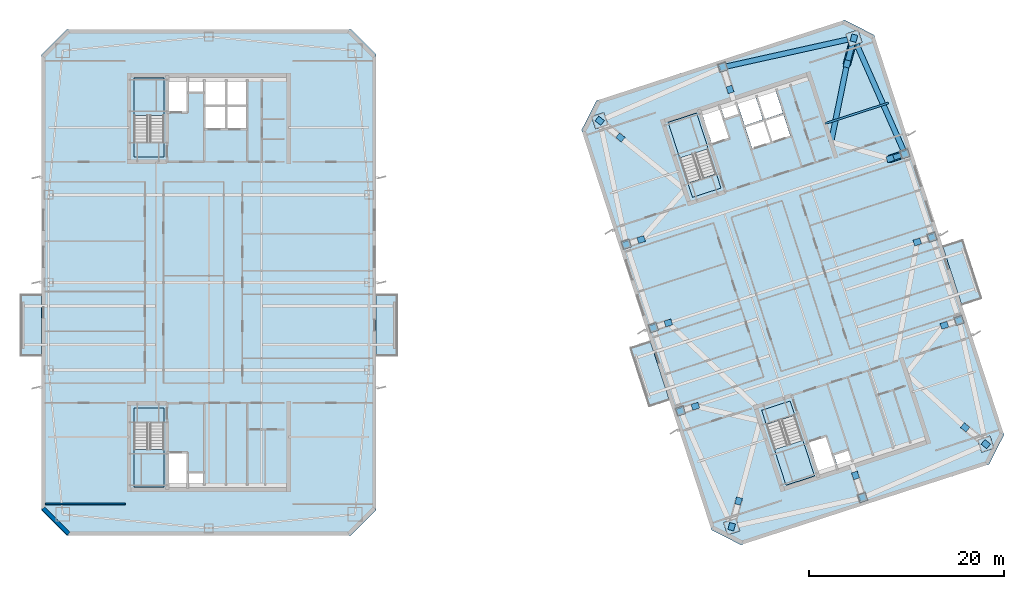
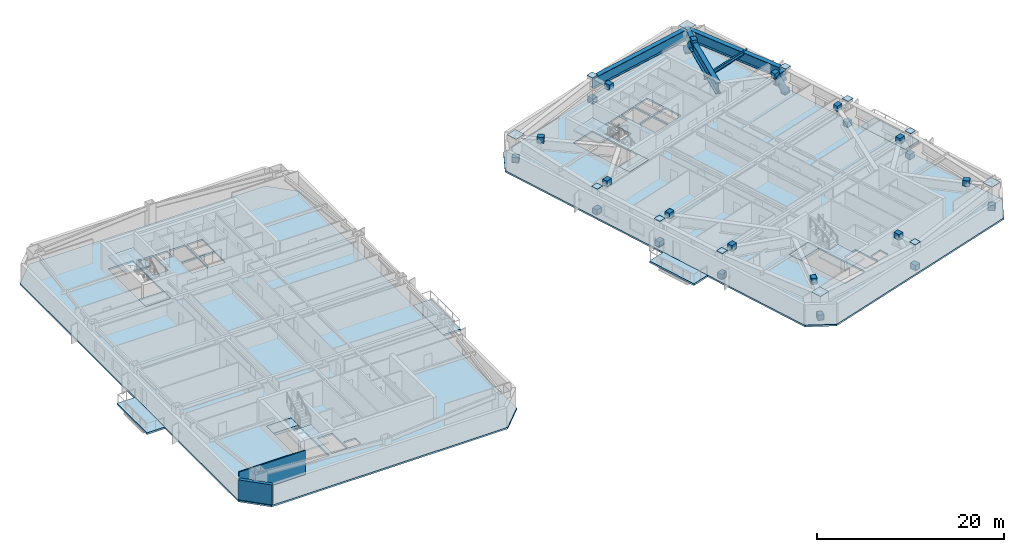
# One storey, part 5 of 18: 36 plates, 14 slabs, 6 beams, 2 members, 2 walls, 4 elements without a shape of their own.
"""IFC4 building model written with IfcOpenShell, lengths in metres."""

from ifc_helpers import new_model, si_unit, direction, frame, frame_2d, origin, origin_2d, place, context, subcontext, project, spatial, polyline, rectangle, hollow_circle, i_section, outline, extrude, material, layer, layer_set, material_profile, profile_set, type_object, element, aggregate, save


model = new_model("IFC4")

# Units and contexts
model_context = context("Model", 3, precision=1e-05, world=origin(), true_north=direction((0.0, 1.0)))
body_context = subcontext(model_context, "Body", "Model", "MODEL_VIEW")
ifc_project = project(units=[si_unit("LENGTHUNIT", "METRE"), si_unit("AREAUNIT", "SQUARE_METRE"), si_unit("VOLUMEUNIT", "CUBIC_METRE"), si_unit("PLANEANGLEUNIT", "RADIAN"), si_unit("MASSUNIT", "GRAM", prefix="KILO")], contexts=[model_context])

# Site, building, storey
site_placement = place(None, origin())
site = spatial("IfcSite", under=ifc_project, at=site_placement, CompositionType="ELEMENT")
building_placement = place(site_placement, origin())
building = spatial("IfcBuilding", under=site, at=building_placement, Name="Qiaolan Cultural Towers", CompositionType="ELEMENT")
storey_placement = place(building_placement, frame((0.0, 0.0, 195.5)))
storey = spatial("IfcBuildingStorey", under=building, at=storey_placement, Name="L52", CompositionType="ELEMENT", Elevation=195.5)

# Beams
ifc_material_1 = material(Name="Steel Q420GJB", Category="steel")
ifc_material_profile_1 = material_profile(ifc_material_1, i_section(OverallWidth=0.550048828125, OverallDepth=1.39990234375, WebThickness=0.031982421875, FlangeThickness=0.050048828125, at=origin_2d()), Name="BH1400x550x32x50")
ifc_profile_set_1 = profile_set([ifc_material_profile_1], Name="Steel Q420GJB")
beam_type_1 = type_object("IfcBeamType", Name="BM-BH1400x550x32x50", PredefinedType="BEAM", material=ifc_profile_set_1)
beam_1_placement = place(storey_placement, frame((96.28125, 59.099365234375, 2.530029296875), z_axis=(-0.259697845523, -0.965689923853, 0.0), x_axis=(0.965689923853, -0.259697845523, 0.0)))
element("IfcBeam", 1, at=beam_1_placement, inside=storey, type_object=beam_type_1, Name="L52 T2 Setback Transfer Girder MC-NE-A", PredefinedType="BEAM", context=body_context, shape_type="SweptSolid", body=[
    extrude(i_section(OverallWidth=0.550048828125, OverallDepth=1.39990234375, WebThickness=0.031982421875, FlangeThickness=0.050048828125, at=origin_2d()), origin(), (0.0, 0.0, 1.0), 2.73193359375),
])
beam_2_placement = place(storey_placement, frame((95.57177734375, 56.461181640625, 2.530029296875), z_axis=(-0.199388586258, -0.97992050273, 0.0), x_axis=(0.97992050273, -0.199388586258, 0.0)))
element("IfcBeam", 2, at=beam_2_placement, inside=storey, type_object=beam_type_1, Name="L52 T2 Setback Transfer Girder MC-NE-B", PredefinedType="BEAM", context=body_context, shape_type="SweptSolid", body=[
    extrude(i_section(OverallWidth=0.550048828125, OverallDepth=1.39990234375, WebThickness=0.031982421875, FlangeThickness=0.050048828125, at=origin_2d()), origin(), (0.0, 0.0, 1.0), 8.203857421875),
])
beam_3_placement = place(storey_placement, frame((101.5322265625, 47.210205078125, 2.530029296875), z_axis=(-0.951066581729, -0.308986014439, 0.0), x_axis=(0.308986014439, -0.951066581729, 0.0)))
element("IfcBeam", 3, at=beam_3_placement, inside=storey, type_object=beam_type_1, Name="L52 T2 Setback Transfer Girder PC-E3-A", PredefinedType="BEAM", context=body_context, shape_type="SweptSolid", body=[
    extrude(i_section(OverallWidth=0.550048828125, OverallDepth=1.39990234375, WebThickness=0.031982421875, FlangeThickness=0.050048828125, at=origin_2d()), origin(), (0.0, 0.0, 1.0), 1.60009765625),
])
beam_4_placement = place(storey_placement, frame((101.5322265625, 47.210205078125, 2.489990234375), z_axis=(-0.404011070002, 0.914754095545, 0.0), x_axis=(-0.914754095545, -0.404011070002, 0.0)))
element("IfcBeam", 4, at=beam_4_placement, inside=storey, type_object=beam_type_1, Name="L52 T2 Perimeter Spandrel Beam 6", PredefinedType="BEAM", context=body_context, shape_type="SweptSolid", body=[
    extrude(i_section(OverallWidth=0.550048828125, OverallDepth=1.39990234375, WebThickness=0.031982421875, FlangeThickness=0.050048828125, at=origin_2d()), origin(), (0.0, 0.0, 1.0), 12.9970703125),
])
beam_5_placement = place(storey_placement, frame((96.28125, 59.099365234375, 2.489990234375), z_axis=(-0.976265293399, -0.216578108094, 0.0), x_axis=(0.216578108094, -0.976265293399, 0.0)))
element("IfcBeam", 5, at=beam_5_placement, inside=storey, type_object=beam_type_1, Name="L52 T2 Perimeter Spandrel Beam 7", PredefinedType="BEAM", context=body_context, shape_type="SweptSolid", body=[
    extrude(i_section(OverallWidth=0.550048828125, OverallDepth=1.39990234375, WebThickness=0.031982421875, FlangeThickness=0.050048828125, at=origin_2d()), origin(), (0.0, 0.0, 1.0), 13.793212890625),
])
ifc_material_2 = material(Name="Steel Q355B", Category="steel")
ifc_material_profile_2 = material_profile(ifc_material_2, i_section(OverallWidth=0.199951171875, OverallDepth=0.449951171875, WebThickness=0.009033203125, FlangeThickness=0.013916015625, at=origin_2d()), Name="HN450x200x9x14")
ifc_profile_set_2 = profile_set([ifc_material_profile_2], Name="Steel Q355B")
beam_type_2 = type_object("IfcBeamType", Name="BM-LNT-HN450x200x9x14", PredefinedType="LINTEL", material=ifc_profile_set_2)
beam_6_placement = place(storey_placement, frame((93.31787109375, 50.32421875, 2.965087890625), z_axis=(0.951061565824, 0.30900145309, 0.0), x_axis=(-0.30900145309, 0.951061565824, 0.0)))
element("IfcBeam", 6, at=beam_6_placement, inside=storey, type_object=beam_type_2, Name="L52 T2 Core Flank Tie Lintel EN", PredefinedType="LINTEL", context=body_context, shape_type="SweptSolid", body=[
    extrude(i_section(OverallWidth=0.199951171875, OverallDepth=0.449951171875, WebThickness=0.009033203125, FlangeThickness=0.013916015625, at=origin_2d()), origin(), (0.0, 0.0, 1.0), 6.85009765625),
])

# Members
ifc_material_3 = material(Name="Steel Q390GJB", Category="steel")
ifc_material_profile_3 = material_profile(ifc_material_3, hollow_circle(Radius=0.39990234375, WallThickness=0.0400390625, at=origin_2d()), Name="CHS800x40")
ifc_profile_set_3 = profile_set([ifc_material_profile_3], Name="Steel Q390GJB")
member_type = type_object("IfcMemberType", Name="MBR-BRC-CHS800x40", PredefinedType="BRACE", material=ifc_profile_set_3)
member_1_placement = place(storey_placement, frame((96.28125, 59.099365234375, 0.300048828125), z_axis=(-0.177103461903, -0.658561599904, 0.731389761286), x_axis=(0.965689923853, -0.259697845523, 0.0)))
element("IfcMember", 7, at=member_1_placement, inside=storey, type_object=member_type, Name="L52 T2 Setback Transfer Raker Strut MC-NE", PredefinedType="BRACE", context=body_context, shape_type="SweptSolid", body=[
    extrude(hollow_circle(Radius=0.39990234375, WallThickness=0.0400390625, at=origin_2d()), origin(), (0.0, 0.0, 1.0), 4.005859375),
])
member_2_placement = place(storey_placement, frame((101.5322265625, 47.210205078125, 0.300048828125), z_axis=(-0.455832676681, -0.148092599114, 0.877658904676), x_axis=(0.308986014439, -0.951066581729, 0.0)))
element("IfcMember", 8, at=member_2_placement, inside=storey, type_object=member_type, Name="L52 T2 Setback Transfer Raker Strut PC-E3", PredefinedType="BRACE", context=body_context, shape_type="SweptSolid", body=[
    extrude(hollow_circle(Radius=0.39990234375, WallThickness=0.0400390625, at=origin_2d()), origin(), (0.0, 0.0, 1.0), 3.33837890625),
])

# Plates
ifc_material_4 = material(Name="Steel Q355B", Category="steel")
ifc_layer_1 = layer(ifc_material_4, 0.035888671875)
ifc_layer_set_1 = layer_set([ifc_layer_1], Name="Steel Q355B")
plate_type_1 = type_object("IfcPlateType", Name="PL-CONN-36", PredefinedType="USERDEFINED", material=ifc_layer_set_1)
for number, where, z_axis, x_axis, name in (
    (9, (83.71875, 8.900634765625, -0.06982421875), (0.0, 0.0, 1.0), (0.259665836582, 0.965698531278, 0.0), "L52 Brace End Connection Gusset Plate GP-02-0148"),
    (10, (84.42822265625, 11.538818359375, 2.85986328125), (0.0, 0.0, 1.0), (0.259665836582, 0.965698531278, 0.0), "L52 Brace End Connection Gusset Plate GP-02-0149"),
    (11, (109.834716796875, 17.38623046875, -0.06982421875), (0.0, 0.0, 1.0), (-0.777697517274, 0.628638665392, 0.0), "L52 Brace End Connection Gusset Plate GP-02-0150"),
    (12, (107.7099609375, 19.103515625, 2.85986328125), (0.0, 0.0, 1.0), (-0.777697517274, 0.628638665392, 0.0), "L52 Brace End Connection Gusset Plate GP-02-0151"),
    (13, (96.28125, 59.099365234375, -0.06982421875), (0.0, 0.0, 1.0), (0.259665836582, 0.965698531278, 0.0), "L52 Brace End Connection Gusset Plate GP-02-0152"),
    (14, (95.57177734375, 56.461181640625, 2.85986328125), (0.0, 0.0, 1.0), (0.259665836582, 0.965698531278, 0.0), "L52 Brace End Connection Gusset Plate GP-02-0153"),
    (15, (70.165283203125, 50.61376953125, -0.06982421875), (0.0, 0.0, 1.0), (-0.777697517274, 0.628638665392, 0.0), "L52 Brace End Connection Gusset Plate GP-02-0154"),
    (16, (72.2900390625, 48.896484375, 2.85986328125), (0.0, 0.0, 1.0), (-0.777697517274, 0.628638665392, 0.0), "L52 Brace End Connection Gusset Plate GP-02-0155"),
    (17, (78.4677734375, 20.789794921875, -0.06982421875), (0.0, 0.0, 1.0), (0.951056586409, 0.309016778587, 0.0), "L52 Brace End Connection Gusset Plate GP-02-0156"),
    (18, (79.989501953125, 21.2841796875, 2.85986328125), (0.0, 0.0, 1.0), (0.951056586409, 0.309016778587, 0.0), "L52 Brace End Connection Gusset Plate GP-02-0157"),
    (19, (75.6865234375, 29.349365234375, -0.06982421875), (0.0, 0.0, 1.0), (0.951056586409, 0.309016778587, 0.0), "L52 Brace End Connection Gusset Plate GP-02-0158"),
    (20, (77.208251953125, 29.84375, 2.85986328125), (0.0, 0.0, 1.0), (0.951056586409, 0.309016778587, 0.0), "L52 Brace End Connection Gusset Plate GP-02-0159"),
    (21, (72.905517578125, 37.90869140625, -0.06982421875), (0.0, 0.0, 1.0), (0.951056586409, 0.309016778587, 0.0), "L52 Brace End Connection Gusset Plate GP-02-0160"),
    (22, (74.42724609375, 38.4033203125, 2.85986328125), (0.0, 0.0, 1.0), (0.951056586409, 0.309016778587, 0.0), "L52 Brace End Connection Gusset Plate GP-02-0161"),
    (23, (107.094482421875, 30.09130859375, -0.06982421875), (0.0, 0.0, 1.0), (0.951056586409, 0.309016778587, 0.0), "L52 Brace End Connection Gusset Plate GP-02-0162"),
    (24, (105.57275390625, 29.5966796875, 2.85986328125), (0.0, 0.0, 1.0), (0.951056586409, 0.309016778587, 0.0), "L52 Brace End Connection Gusset Plate GP-02-0163"),
    (25, (104.3134765625, 38.650634765625, -0.06982421875), (0.0, 0.0, 1.0), (0.951056586409, 0.309016778587, 0.0), "L52 Brace End Connection Gusset Plate GP-02-0164"),
    (26, (102.791748046875, 38.15625, 2.85986328125), (0.0, 0.0, 1.0), (0.951056586409, 0.309016778587, 0.0), "L52 Brace End Connection Gusset Plate GP-02-0165"),
    (27, (101.5322265625, 47.210205078125, -0.06982421875), (0.0, 0.0, 1.0), (0.951056586409, 0.309016778587, 0.0), "L52 Brace End Connection Gusset Plate GP-02-0166"),
    (28, (100.010498046875, 46.7158203125, 2.85986328125), (0.0, 0.0, 1.0), (0.951056586409, 0.309016778587, 0.0), "L52 Brace End Connection Gusset Plate GP-02-0167"),
    (29, (97.1845703125, 11.887939453125, -0.06982421875), (0.0, 0.0, 1.0), (-0.309017027573, 0.951056505508, 0.0), "L52 Brace End Connection Gusset Plate GP-02-0168"),
    (30, (96.443115234375, 14.17041015625, 2.85986328125), (0.0, 0.0, 1.0), (-0.309017027573, 0.951056505508, 0.0), "L52 Brace End Connection Gusset Plate GP-02-0169"),
    (31, (82.8154296875, 56.112060546875, -0.06982421875), (0.0, 0.0, 1.0), (-0.309017027573, 0.951056505508, 0.0), "L52 Brace End Connection Gusset Plate GP-02-0170"),
    (32, (83.556884765625, 53.82958984375, 2.85986328125), (0.0, 0.0, 1.0), (-0.309017027573, 0.951056505508, 0.0), "L52 Brace End Connection Gusset Plate GP-02-0171"),
):
    element("IfcPlate", number, at=place(storey_placement, frame(where, z_axis=z_axis, x_axis=x_axis)), inside=storey, type_object=plate_type_1, Name=name, ObjectType="GUSSET_PLATE", PredefinedType="USERDEFINED", context=body_context, shape_type="SweptSolid", body=[
        extrude(rectangle(XDim=0.739990234375, YDim=0.6201171875, at=origin_2d()), origin(), (0.0, 0.0, 1.0), 0.739990234375),
    ])
ifc_material_5 = material(Name="Steel Q355B", Category="steel")
ifc_layer_2 = layer(ifc_material_5, 0.030029296875)
ifc_layer_set_2 = layer_set([ifc_layer_2], Name="Steel Q355B")
plate_type_2 = type_object("IfcPlateType", Name="PL-ENDCAP-30", PredefinedType="USERDEFINED", material=ifc_layer_set_2)
for number, where, z_axis, x_axis, name in (
    (33, (83.71875, 8.900634765625, 3.451171875), (0.0, 0.0, 1.0), (0.951056516295, 0.309016994375, 0.0), "Tower Box Column Transition Seal Cap Plate CP-01"),
    (34, (109.834716796875, 17.38623046875, 3.451171875), (0.0, 0.0, 1.0), (0.951056516295, 0.309016994375, 0.0), "Tower Box Column Transition Seal Cap Plate CP-01"),
    (35, (96.28125, 59.099365234375, 3.451171875), (0.0, 0.0, 1.0), (0.951056516295, 0.309016994375, 0.0), "Tower Box Column Transition Seal Cap Plate CP-01"),
    (36, (70.165283203125, 50.61376953125, 3.451171875), (0.0, 0.0, 1.0), (0.951056516295, 0.309016994375, 0.0), "Tower Box Column Transition Seal Cap Plate CP-01"),
):
    element("IfcPlate", number, at=place(storey_placement, frame(where, z_axis=z_axis, x_axis=x_axis)), inside=storey, type_object=plate_type_2, Name=name, ObjectType="BASE_PLATE", PredefinedType="USERDEFINED", context=body_context, shape_type="SweptSolid", body=[
        extrude(rectangle(XDim=1.340087890625, YDim=1.340087890625, at=origin_2d()), origin(), (0.0, 0.0, 1.0), 0.030029296875),
    ])
for number, where, z_axis, x_axis, name in (
    (37, (78.4677734375, 20.789794921875, 3.451171875), (0.0, 0.0, 1.0), (0.951056516295, 0.309016994375, 0.0), "Tower Box Column Transition Seal Cap Plate CP-01"),
    (38, (75.6865234375, 29.349365234375, 3.451171875), (0.0, 0.0, 1.0), (0.951056516295, 0.309016994375, 0.0), "Tower Box Column Transition Seal Cap Plate CP-01"),
    (39, (72.905517578125, 37.90869140625, 3.451171875), (0.0, 0.0, 1.0), (0.951056516295, 0.309016994375, 0.0), "Tower Box Column Transition Seal Cap Plate CP-01"),
    (40, (107.094482421875, 30.09130859375, 3.451171875), (0.0, 0.0, 1.0), (0.951056516295, 0.309016994375, 0.0), "Tower Box Column Transition Seal Cap Plate CP-01"),
    (41, (104.3134765625, 38.650634765625, 3.451171875), (0.0, 0.0, 1.0), (0.951056516295, 0.309016994375, 0.0), "Tower Box Column Transition Seal Cap Plate CP-01"),
    (42, (101.5322265625, 47.210205078125, 3.451171875), (0.0, 0.0, 1.0), (0.951056516295, 0.309016994375, 0.0), "Tower Box Column Transition Seal Cap Plate CP-01"),
    (43, (97.1845703125, 11.887939453125, 3.451171875), (0.0, 0.0, 1.0), (0.951056516295, 0.309016994375, 0.0), "Tower Box Column Transition Seal Cap Plate CP-01"),
    (44, (82.8154296875, 56.112060546875, 3.451171875), (0.0, 0.0, 1.0), (0.951056516295, 0.309016994375, 0.0), "Tower Box Column Transition Seal Cap Plate CP-01"),
):
    element("IfcPlate", number, at=place(storey_placement, frame(where, z_axis=z_axis, x_axis=x_axis)), inside=storey, type_object=plate_type_2, Name=name, ObjectType="BASE_PLATE", PredefinedType="USERDEFINED", context=body_context, shape_type="SweptSolid", body=[
        extrude(rectangle(XDim=0.840087890625, YDim=0.840087890625, at=origin_2d()), origin(), (0.0, 0.0, 1.0), 0.030029296875),
    ])

# Slabs
ifc_material_6 = material(Name="Concrete C45", Category="concrete")
ifc_layer_3 = layer(ifc_material_6, 0.239990234375)
ifc_layer_set_3 = layer_set([ifc_layer_3], Name="Concrete C45")
slab_type_1 = type_object("IfcSlabType", Name="SL-BAL-240", PredefinedType="FLOOR", material=ifc_layer_set_3)
slab_1_placement = place(storey_placement, frame((0.0, 0.0, -0.239990234375)))
element("IfcSlab", 45, at=slab_1_placement, inside=storey, type_object=slab_type_1, Name="L52 T1 Planted Tree Balcony W", PredefinedType="FLOOR", context=body_context, shape_type="SweptSolid", body=[
    extrude(outline(polyline([(10.60009765625, 26.39990234375), (12.800048828125, 26.39990234375), (12.800048828125, 32.800048828125), (10.60009765625, 32.800048828125), (10.60009765625, 26.39990234375)])), origin(), (0.0, 0.0, 1.0), 0.239990234375),
])
slab_2_placement = place(storey_placement, frame((0.0, 0.0, -0.239990234375)))
element("IfcSlab", 46, at=slab_2_placement, inside=storey, type_object=slab_type_1, Name="L52 T1 Planted Tree Balcony E", PredefinedType="FLOOR", context=body_context, shape_type="SweptSolid", body=[
    extrude(outline(polyline([(47.199951171875, 26.39990234375), (49.39990234375, 26.39990234375), (49.39990234375, 32.800048828125), (47.199951171875, 32.800048828125), (47.199951171875, 26.39990234375)])), origin(), (0.0, 0.0, 1.0), 0.239990234375),
])
slab_3_placement = place(storey_placement, frame((0.0, 0.0, -0.239990234375)))
element("IfcSlab", 47, at=slab_3_placement, inside=storey, type_object=slab_type_1, Name="L52 T2 Planted Tree Balcony W", PredefinedType="FLOOR", context=body_context, shape_type="SweptSolid", body=[
    extrude(outline(polyline([(75.2294921875, 21.209716796875), (77.32177734375, 21.889404296875), (75.34423828125, 27.976318359375), (73.251708984375, 27.29638671875), (75.2294921875, 21.209716796875)])), origin(), (0.0, 0.0, 1.0), 0.239990234375),
])
slab_4_placement = place(storey_placement, frame((0.0, 0.0, -0.239990234375)))
element("IfcSlab", 48, at=slab_4_placement, inside=storey, type_object=slab_type_1, Name="L52 T2 Planted Tree Balcony E", PredefinedType="FLOOR", context=body_context, shape_type="SweptSolid", body=[
    extrude(outline(polyline([(107.375244140625, 31.654541015625), (109.467529296875, 32.334228515625), (107.48974609375, 38.421142578125), (105.3974609375, 37.7412109375), (107.375244140625, 31.654541015625)])), origin(), (0.0, 0.0, 1.0), 0.239990234375),
])

# Stair, slab
ifc_material_7 = material(Name="Concrete C45", Category="concrete")
stair_type = type_object("IfcStairType", Name="STR-CORE-1500", PredefinedType="HALF_TURN_STAIR", material=ifc_material_7)
stair_1_placement = place(storey_placement, origin())
stair_1 = element("IfcStair", 49, at=stair_1_placement, inside=storey, type_object=stair_type, Name="L52 Smokeproof Exit Stair ST-W1", PredefinedType="HALF_TURN_STAIR")
ifc_material_8 = material(Name="Concrete C45", Category="concrete")
ifc_layer_4 = layer(ifc_material_8, 0.199951171875)
ifc_layer_set_4 = layer_set([ifc_layer_4], Name="Concrete C45")
slab_type_2 = type_object("IfcSlabType", Name="SL-STAIR-LAND", PredefinedType="LANDING", material=ifc_layer_set_4)
slab_5_placement = place(storey_placement, frame((0.0, 0.0, 1.52490234375)))
slab_5 = element("IfcSlab", 50, at=slab_5_placement, type_object=slab_type_2, Name="ST-W1 landing 1", PredefinedType="LANDING", context=body_context, shape_type="SweptSolid", body=[
    extrude(outline(polyline([(22.300048828125, 16.851318359375), (22.300048828125, 13.0), (25.3798828125, 13.0), (25.3798828125, 16.851318359375), (22.300048828125, 16.851318359375)])), origin(), (0.0, 0.0, 1.0), 0.2001953125),
])
aggregate(stair_1, [slab_5])

stair_2_placement = place(storey_placement, origin())
stair_2 = element("IfcStair", 51, at=stair_2_placement, inside=storey, type_object=stair_type, Name="L52 Smokeproof Exit Stair ST-W2", PredefinedType="HALF_TURN_STAIR")
slab_6_placement = place(storey_placement, frame((0.0, 0.0, 1.52490234375)))
slab_6 = element("IfcSlab", 52, at=slab_6_placement, type_object=slab_type_2, Name="ST-W2 landing 1", PredefinedType="LANDING", context=body_context, shape_type="SweptSolid", body=[
    extrude(outline(polyline([(25.3798828125, 51.148681640625), (25.3798828125, 55.0), (22.300048828125, 55.0), (22.300048828125, 51.148681640625), (25.3798828125, 51.148681640625)])), origin(), (0.0, 0.0, 1.0), 0.2001953125),
])
aggregate(stair_2, [slab_6])

stair_3_placement = place(storey_placement, origin())
stair_3 = element("IfcStair", 53, at=stair_3_placement, inside=storey, type_object=stair_type, Name="L52 Smokeproof Exit Stair ST-E1", PredefinedType="HALF_TURN_STAIR")
slab_7_placement = place(storey_placement, frame((0.0, 0.0, 1.52490234375)))
slab_7 = element("IfcSlab", 54, at=slab_7_placement, type_object=slab_type_2, Name="ST-E1 landing 1", PredefinedType="LANDING", context=body_context, shape_type="SweptSolid", body=[
    extrude(outline(polyline([(88.114013671875, 16.828125), (89.30419921875, 13.165283203125), (92.2333984375, 14.116943359375), (91.04345703125, 17.77978515625), (88.114013671875, 16.828125)])), origin(), (0.0, 0.0, 1.0), 0.2001953125),
])
aggregate(stair_3, [slab_7])

stair_4_placement = place(storey_placement, origin())
stair_4 = element("IfcStair", 55, at=stair_4_placement, inside=storey, type_object=stair_type, Name="L52 Smokeproof Exit Stair ST-E2", PredefinedType="HALF_TURN_STAIR")
slab_8_placement = place(storey_placement, frame((0.0, 0.0, 1.52490234375)))
slab_8 = element("IfcSlab", 56, at=slab_8_placement, type_object=slab_type_2, Name="ST-E2 landing 1", PredefinedType="LANDING", context=body_context, shape_type="SweptSolid", body=[
    extrude(outline(polyline([(81.31005859375, 47.735595703125), (80.1201171875, 51.3984375), (77.190673828125, 50.44677734375), (78.380859375, 46.783935546875), (81.31005859375, 47.735595703125)])), origin(), (0.0, 0.0, 1.0), 0.2001953125),
])
aggregate(stair_4, [slab_8])

# Slabs
ifc_material_9 = material(Name="Concrete C40", Category="concrete")
ifc_layer_5 = layer(ifc_material_9, 0.360107421875)
ifc_layer_set_5 = layer_set([ifc_layer_5], Name="Concrete C40")
slab_type_3 = type_object("IfcSlabType", Name="SL-STFLR-360", PredefinedType="LANDING", material=ifc_layer_set_5)
slab_9_placement = place(storey_placement, frame((0.0, 0.0, -0.360107421875)))
element("IfcSlab", 57, at=slab_9_placement, inside=storey, type_object=slab_type_3, Name="L52 ST-W1 Stair Floor Landing Slab", PredefinedType="LANDING", context=body_context, shape_type="SweptSolid", body=[
    extrude(outline(polyline([(22.302001953125, 21.097900390625), (22.302001953125, 19.548583984375), (25.3779296875, 19.548583984375), (25.3779296875, 21.097900390625), (22.302001953125, 21.097900390625)])), origin(), (0.0, 0.0, 1.0), 0.360107421875),
])
slab_10_placement = place(storey_placement, frame((0.0, 0.0, -0.360107421875)))
element("IfcSlab", 58, at=slab_10_placement, inside=storey, type_object=slab_type_3, Name="L52 ST-W2 Stair Floor Landing Slab", PredefinedType="LANDING", context=body_context, shape_type="SweptSolid", body=[
    extrude(outline(polyline([(25.3779296875, 46.902099609375), (25.3779296875, 48.451416015625), (22.302001953125, 48.451416015625), (22.302001953125, 46.902099609375), (25.3779296875, 46.902099609375)])), origin(), (0.0, 0.0, 1.0), 0.360107421875),
])
slab_11_placement = place(storey_placement, frame((0.0, 0.0, -0.360107421875)))
element("IfcSlab", 59, at=slab_11_placement, inside=storey, type_object=slab_type_3, Name="L52 ST-E1 Stair Floor Landing Slab", PredefinedType="LANDING", context=body_context, shape_type="SweptSolid", body=[
    extrude(outline(polyline([(86.8037109375, 20.867431640625), (87.282470703125, 19.39404296875), (90.2080078125, 20.3447265625), (89.729248046875, 21.818115234375), (86.8037109375, 20.867431640625)])), origin(), (0.0, 0.0, 1.0), 0.360107421875),
])
slab_12_placement = place(storey_placement, frame((0.0, 0.0, -0.360107421875)))
element("IfcSlab", 60, at=slab_12_placement, inside=storey, type_object=slab_type_3, Name="L52 ST-E2 Stair Floor Landing Slab", PredefinedType="LANDING", context=body_context, shape_type="SweptSolid", body=[
    extrude(outline(polyline([(82.62060546875, 43.6962890625), (82.141845703125, 45.169677734375), (79.21630859375, 44.21923828125), (79.695068359375, 42.74560546875), (82.62060546875, 43.6962890625)])), origin(), (0.0, 0.0, 1.0), 0.360107421875),
])
ifc_material_10 = material(Name="Concrete C45", Category="concrete")
ifc_layer_6 = layer(ifc_material_10, 0.219970703125)
ifc_layer_set_6 = layer_set([ifc_layer_6], Name="Concrete C45")
slab_type_4 = type_object("IfcSlabType", Name="SL-TYP-220", PredefinedType="FLOOR", material=ifc_layer_set_6)
slab_13_placement = place(storey_placement, frame((0.0, 0.0, -0.219970703125)))
element("IfcSlab", 61, at=slab_13_placement, inside=storey, type_object=slab_type_4, Name="L52 West Tower Floor Slab", PredefinedType="FLOOR", context=body_context, shape_type="SweptSolid", body=[
    extrude(outline(polyline([(15.39990234375, 8.0), (44.60009765625, 8.0), (47.199951171875, 10.60009765625), (47.199951171875, 57.39990234375), (44.60009765625, 60.0), (15.39990234375, 60.0), (12.800048828125, 57.39990234375), (12.800048828125, 10.60009765625), (15.39990234375, 8.0)]), holes=[polyline([(22.300048828125, 21.10009765625), (22.300048828125, 13.0), (25.3798828125, 13.0), (25.3798828125, 21.10009765625), (22.300048828125, 21.10009765625)]), polyline([(25.3798828125, 46.89990234375), (25.3798828125, 55.0), (22.300048828125, 55.0), (22.300048828125, 46.89990234375), (25.3798828125, 46.89990234375)]), polyline([(25.89990234375, 13.199951171875), (27.75, 13.199951171875), (27.75, 16.449951171875), (25.89990234375, 16.449951171875), (25.89990234375, 13.199951171875)]), polyline([(27.93994140625, 13.25), (29.449951171875, 13.25), (29.449951171875, 14.419921875), (27.93994140625, 14.419921875), (27.93994140625, 13.25)]), polyline([(25.89990234375, 51.550048828125), (27.75, 51.550048828125), (27.75, 54.800048828125), (25.89990234375, 54.800048828125), (25.89990234375, 51.550048828125)]), polyline([(27.93994140625, 53.580078125), (29.449951171875, 53.580078125), (29.449951171875, 54.75), (27.93994140625, 54.75), (27.93994140625, 53.580078125)]), polyline([(29.679931640625, 49.820068359375), (31.679931640625, 49.820068359375), (31.679931640625, 52.080078125), (29.679931640625, 52.080078125), (29.679931640625, 49.820068359375)]), polyline([(31.8798828125, 49.820068359375), (33.820068359375, 49.820068359375), (33.820068359375, 52.080078125), (31.8798828125, 52.080078125), (31.8798828125, 49.820068359375)]), polyline([(29.679931640625, 52.27001953125), (31.659912109375, 52.27001953125), (31.659912109375, 54.75), (29.679931640625, 54.75), (29.679931640625, 52.27001953125)]), polyline([(31.8798828125, 52.27001953125), (33.820068359375, 52.27001953125), (33.820068359375, 54.75), (31.8798828125, 54.75), (31.8798828125, 52.27001953125)])]), origin(), (0.0, 0.0, 1.0), 0.219970703125),
])
slab_14_placement = place(storey_placement, frame((0.0, 0.0, -0.219970703125)))
element("IfcSlab", 62, at=slab_14_placement, inside=storey, type_object=slab_type_4, Name="L52 East Tower Floor Slab", PredefinedType="FLOOR", context=body_context, shape_type="SweptSolid", body=[
    extrude(outline(polyline([(84.67236328125, 7.033935546875), (110.16064453125, 15.3154296875), (111.701416015625, 18.339599609375), (98.351806640625, 59.42529296875), (95.32763671875, 60.966064453125), (69.83935546875, 52.6845703125), (68.298583984375, 49.660400390625), (81.648193359375, 8.57470703125), (84.67236328125, 7.033935546875)]), holes=[polyline([(86.80126953125, 20.868896484375), (89.30419921875, 13.165283203125), (92.2333984375, 14.116943359375), (89.73046875, 21.820556640625), (86.80126953125, 20.868896484375)]), polyline([(82.623046875, 43.69482421875), (80.1201171875, 51.3984375), (77.190673828125, 50.44677734375), (79.69384765625, 42.7431640625), (82.623046875, 43.69482421875)]), polyline([(92.666259765625, 14.468017578125), (94.42578125, 15.03955078125), (93.42138671875, 18.130615234375), (91.661865234375, 17.558837890625), (92.666259765625, 14.468017578125)]), polyline([(94.5908203125, 15.14599609375), (96.027099609375, 15.612548828125), (95.66552734375, 16.725341796875), (94.2294921875, 16.258544921875), (94.5908203125, 15.14599609375)]), polyline([(81.6806640625, 48.278076171875), (83.440185546875, 48.849609375), (82.435791015625, 51.940673828125), (80.67626953125, 51.368896484375), (81.6806640625, 48.278076171875)]), polyline([(82.993408203125, 50.839111328125), (84.4296875, 51.3056640625), (84.068115234375, 52.41845703125), (82.632080078125, 51.95166015625), (82.993408203125, 50.839111328125)]), polyline([(85.810302734375, 47.80078125), (87.71240234375, 48.418701171875), (87.013916015625, 50.568115234375), (85.11181640625, 49.9501953125), (85.810302734375, 47.80078125)]), polyline([(87.902587890625, 48.480712890625), (89.74755859375, 49.080078125), (89.04931640625, 51.2294921875), (87.2041015625, 50.6298828125), (87.902587890625, 48.480712890625)]), polyline([(85.05322265625, 50.130859375), (86.936279296875, 50.74267578125), (86.169921875, 53.101318359375), (84.286865234375, 52.489501953125), (85.05322265625, 50.130859375)]), polyline([(87.1455078125, 50.810791015625), (88.990478515625, 51.41015625), (88.22412109375, 53.768798828125), (86.379150390625, 53.169189453125), (87.1455078125, 50.810791015625)])]), origin(), (0.0, 0.0, 1.0), 0.219970703125),
])

# Walls
ifc_material_11 = material(Name="Precast Concrete C50 Honed Stone Pier", Category="masonry")
ifc_layer_7 = layer(ifc_material_11, 0.39990234375)
ifc_layer_set_7 = layer_set([ifc_layer_7], Name="Precast Concrete C50 Honed Stone Pier")
wall_type_1 = type_object("IfcWallType", Name="WL-EXT-PIER-400", PredefinedType="SOLIDWALL", material=ifc_layer_set_7)
wall_1_placement = place(storey_placement, frame((15.60009765625, 8.199951171875, 0.0), z_axis=(0.0, 0.0, 1.0), x_axis=(-0.707106781187, 0.707106781187, 0.0)))
element("IfcWall", 63, at=wall_1_placement, inside=storey, type_object=wall_type_1, Name="L52 West Tower Precast Pier Facade Wall F8", PredefinedType="SOLIDWALL", context=body_context, shape_type="SweptSolid", body=[
    extrude(rectangle(XDim=3.677001953125, YDim=0.39990234375, at=frame_2d((1.83837890625, 0.0))), origin(), (0.0, 0.0, 1.0), 2.610107421875),
])
ifc_material_12 = material(Name="Autoclaved Aerated Concrete Block B06", Category="concrete")
ifc_layer_8 = layer(ifc_material_12, 0.14990234375)
ifc_layer_set_8 = layer_set([ifc_layer_8], Name="Autoclaved Aerated Concrete Block B06")
wall_type_2 = type_object("IfcWallType", Name="WL-PART-150", PredefinedType="PARTITIONING", material=ifc_layer_set_8)
wall_2_placement = place(storey_placement, frame((13.199951171875, 11.25, 0.0), z_axis=(0.0, 0.0, 1.0), x_axis=(1.0, 0.0, 0.0)))
element("IfcWall", 64, at=wall_2_placement, inside=storey, type_object=wall_type_2, Name="L52 T1 Flank Wall FLK-SW", PredefinedType="PARTITIONING", context=body_context, shape_type="SweptSolid", body=[
    extrude(rectangle(XDim=8.199951171875, YDim=0.14990234375, at=frame_2d((4.10009765625, 0.0))), origin(), (0.0, 0.0, 1.0), 3.175048828125),
])

save(model, "model.ifc")
